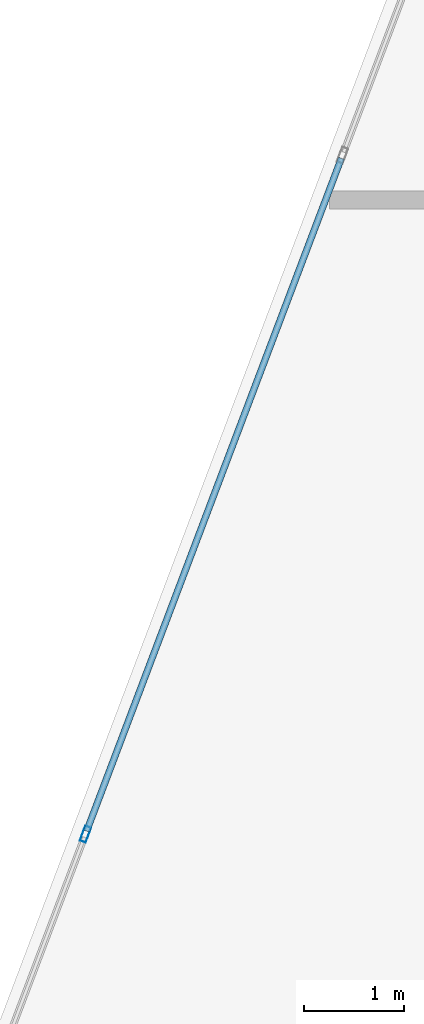
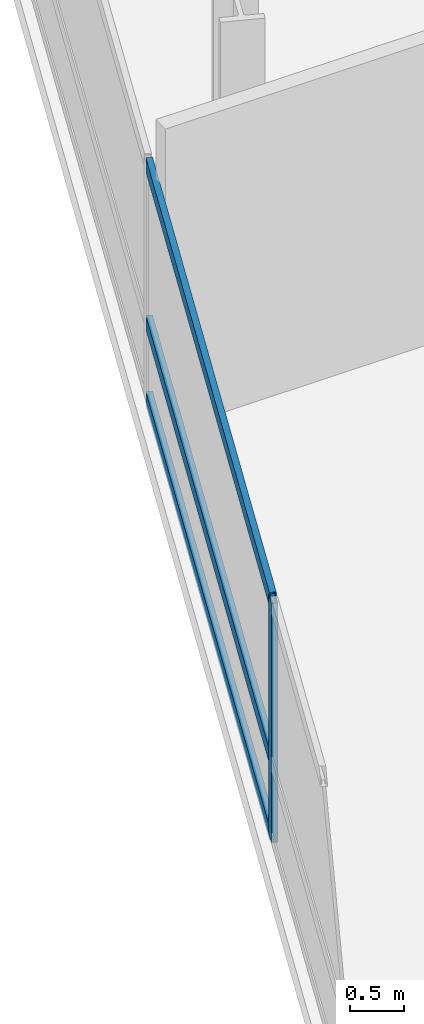
# One storey, part 6 of 25: 4 members, 1 element without a shape of its own.
"""IFC4 building model written with IfcOpenShell, lengths in metres."""

import ifcopenshell
import ifcopenshell.guid

model = None  # the IFC model being written
_history = None  # IfcOwnerHistory: only IFC2X3 demands one
_inside = {}  # id of a spatial element -> (the spatial element, [elements in it])
_under = {}  # id of a project, library or spatial element -> (it, [spatial elements below it])
_declared = {}  # id of a project -> (the project, [libraries it declares])
_typed = {}  # id of a type object -> (the type object, [elements of that type])
_made_of = {}  # id of a material, layer set ... -> (it, [elements and type objects made of it])


def new_model(schema):
    """Start an empty IFC model of exactly this schema.

    Asked for "IFC4X3", IfcOpenShell would pick the latest addendum, in which some entities
    have other attributes; the version numbers below select the first issue.
    IFC2X3 requires an IfcOwnerHistory on every rooted entity: one is made here for all.
    """
    global model, _history
    if schema == "IFC4X3":
        model = ifcopenshell.file(schema_version=(4, 3, 0, 0))
    else:
        model = ifcopenshell.file(schema=schema)
    _inside.clear()
    _under.clear()
    _declared.clear()
    _typed.clear()
    _made_of.clear()
    _history = None
    if model.schema == "IFC2X3":
        org = make("IfcOrganization", Name="unknown")
        user = make(
            "IfcPersonAndOrganization",
            ThePerson=make("IfcPerson", FamilyName="unknown"),
            TheOrganization=org,
        )
        app = make(
            "IfcApplication",
            ApplicationDeveloper=org,
            Version="unknown",
            ApplicationFullName="unknown",
            ApplicationIdentifier="unknown",
        )
        _history = make(
            "IfcOwnerHistory",
            OwningUser=user,
            OwningApplication=app,
            ChangeAction="ADDED",
            CreationDate=0,
        )
    return model


def make(cls, **values):
    """One entity of the class cls with the attributes given. An attribute that is None is left unset."""
    return model.create_entity(
        cls, **{name: value for name, value in values.items() if value is not None}
    )


def rooted(cls, **values):
    """An entity with a GlobalId (a new one), such as an element, a storey or a relation."""
    return make(cls, GlobalId=ifcopenshell.guid.new(), OwnerHistory=_history, **values)


def si_unit(unit_type, name, prefix=None):
    """IfcSIUnit, for example si_unit("LENGTHUNIT", "METRE", prefix="MILLI")."""
    return make("IfcSIUnit", UnitType=unit_type, Prefix=prefix, Name=name)


def assignment(units):
    """IfcUnitAssignment: the units of a project."""
    return None if units is None else make("IfcUnitAssignment", Units=units)


def point(xyz):
    """IfcCartesianPoint."""
    return None if xyz is None else make("IfcCartesianPoint", Coordinates=xyz)


def direction(xyz):
    """IfcDirection."""
    return None if xyz is None else make("IfcDirection", DirectionRatios=xyz)


def frame(location, z_axis=None, x_axis=None):
    """IfcAxis2Placement3D, a coordinate frame: its origin and axes. An axis left out is left unset."""
    return make(
        "IfcAxis2Placement3D",
        Location=point(location),
        Axis=direction(z_axis),
        RefDirection=direction(x_axis),
    )


def frame_2d(location, x_axis=None):
    """IfcAxis2Placement2D, a coordinate frame in the plane: its origin and x axis."""
    return make(
        "IfcAxis2Placement2D", Location=point(location), RefDirection=direction(x_axis)
    )


def origin():
    """The frame at (0, 0, 0) with its axes left unset."""
    return frame((0.0, 0.0, 0.0))


def origin_2d():
    """The frame at (0, 0) in the plane with its x axis left unset."""
    return frame_2d((0.0, 0.0))


def place(relative_to, where):
    """IfcLocalPlacement: puts the frame where relative to a parent placement (None: the world)."""
    return make(
        "IfcLocalPlacement", PlacementRelTo=relative_to, RelativePlacement=where
    )


def context(
    kind, dimensions, precision=None, world=None, true_north=None, identifier=None
):
    """IfcGeometricRepresentationContext, for example the 3D "Model" context."""
    return make(
        "IfcGeometricRepresentationContext",
        ContextIdentifier=identifier,
        ContextType=kind,
        CoordinateSpaceDimension=dimensions,
        Precision=precision,
        WorldCoordinateSystem=world,
        TrueNorth=true_north,
    )


def subcontext(parent, identifier, kind, view, scale=None):
    """IfcGeometricRepresentationSubContext, for example "Body" below "Model"."""
    return make(
        "IfcGeometricRepresentationSubContext",
        ContextIdentifier=identifier,
        ContextType=kind,
        ParentContext=parent,
        TargetScale=scale,
        TargetView=view,
    )


def project(units=None, contexts=None):
    """IfcProject with its units and contexts."""
    return rooted(
        "IfcProject",
        Name="project",
        RepresentationContexts=contexts,
        UnitsInContext=assignment(units),
    )


def spatial(cls, under=None, at=None, **own):
    """A site, building, storey or space (cls), placed at a placement, below another one or the project."""
    s = rooted(cls, ObjectPlacement=at, **own)
    if under is not None:
        _under.setdefault(under.id(), (under, []))[1].append(s)
    return s


def profile(cls, at=None, kind="AREA", **sizes):
    """A parametric profile (cls). Its sizes go by their IFC names, for example OverallWidth=200.0."""
    return make(cls, ProfileType=kind, Position=at, **sizes)


def hollow_rectangle(**sizes):
    """IfcRectangleHollowProfileDef."""
    return profile("IfcRectangleHollowProfileDef", **sizes)


def extrude(swept, where, along, depth):
    """IfcExtrudedAreaSolid: the profile swept, set in the frame where, extruded along a direction by depth."""
    return make(
        "IfcExtrudedAreaSolid",
        SweptArea=swept,
        Position=where,
        ExtrudedDirection=direction(along),
        Depth=depth,
    )


def shape(context_of_items, identifier, shape_type, items):
    """IfcShapeRepresentation: the items that make up one representation, for example the "Body"."""
    return make(
        "IfcShapeRepresentation",
        ContextOfItems=context_of_items,
        RepresentationIdentifier=identifier,
        RepresentationType=shape_type,
        Items=items,
    )


def material(Name=None, Category=None):
    """IfcMaterial."""
    return make("IfcMaterial", Name=Name, Category=Category)


def layer(
    of_material, thickness, ventilated=None, Name=None, Category=None, Priority=None
):
    """IfcMaterialLayer: one layer of a wall or slab, of a material (None: an air gap)."""
    return make(
        "IfcMaterialLayer",
        Material=of_material,
        LayerThickness=thickness,
        IsVentilated=ventilated,
        Name=Name,
        Category=Category,
        Priority=Priority,
    )


def layer_set(layers, Name=None):
    """IfcMaterialLayerSet."""
    return make("IfcMaterialLayerSet", MaterialLayers=layers, LayerSetName=Name)


def material_profile(
    of_material, cross_section, Name=None, Category=None, Priority=None
):
    """IfcMaterialProfile: a cross section and its material."""
    return make(
        "IfcMaterialProfile",
        Name=Name,
        Material=of_material,
        Profile=cross_section,
        Priority=Priority,
        Category=Category,
    )


def profile_set(profiles, Name=None, composite=None):
    """IfcMaterialProfileSet."""
    return make(
        "IfcMaterialProfileSet",
        Name=Name,
        MaterialProfiles=profiles,
        CompositeProfile=composite,
    )


def made_of(thing, what):
    """Note that an element or type object is made of a material, layer set ...; save() writes the relation."""
    if what is not None:
        _made_of.setdefault(what.id(), (what, []))[1].append(thing)
    return thing


def type_object(cls, material=None, **own):
    """A type object (cls), such as IfcWallType, which elements share."""
    return made_of(rooted(cls, **own), material)


def element(
    cls,
    number,
    at=None,
    inside=None,
    cuts=None,
    type_object=None,
    material=None,
    context=None,
    identifier="Body",
    shape_type=None,
    held_by="IfcProductDefinitionShape",
    body=None,
    shapes=None,
    **own,
):
    """One element of the class cls, such as IfcWall. Its Tag is "e" and its number.

    at: its placement. inside: the storey or other place that contains it. cuts: it is an
    opening in that element (IfcRelVoidsElement). A single representation is given by context,
    identifier, shape_type and body (its items); several are given by shapes. held_by: the class
    of the entity that holds the representations. save() writes the other relations.
    """
    e = rooted(cls, Tag="e%d" % number, ObjectPlacement=at, **own)
    if body is not None:
        shapes = [shape(context, identifier, shape_type, body)]
    if shapes is not None:
        e.Representation = make(held_by, Representations=shapes)
    if inside is not None:
        _inside.setdefault(inside.id(), (inside, []))[1].append(e)
    if cuts is not None:
        rooted(
            "IfcRelVoidsElement", RelatingBuildingElement=cuts, RelatedOpeningElement=e
        )
    if type_object is not None:
        _typed.setdefault(type_object.id(), (type_object, []))[1].append(e)
    return made_of(e, material)


def aggregate(whole, parts):
    """IfcRelAggregates: a whole, such as a stair, and the parts it consists of."""
    return rooted("IfcRelAggregates", RelatingObject=whole, RelatedObjects=parts)


def save(model, path):
    """Write the relations noted so far, then the file.

    IfcRelAggregates (storeys below a building ...), IfcRelContainedInSpatialStructure (elements
    in a storey), IfcRelDefinesByType, IfcRelAssociatesMaterial and IfcRelDeclares: one each for
    every whole, place, type object, material and project.
    """
    for whole, parts in _under.values():
        aggregate(whole, parts)
    for where, things in _inside.values():
        rooted(
            "IfcRelContainedInSpatialStructure",
            RelatedElements=things,
            RelatingStructure=where,
        )
    for kind, things in _typed.values():
        rooted("IfcRelDefinesByType", RelatedObjects=things, RelatingType=kind)
    for what, things in _made_of.values():
        rooted("IfcRelAssociatesMaterial", RelatedObjects=things, RelatingMaterial=what)
    for by, libraries in _declared.values():
        rooted("IfcRelDeclares", RelatingContext=by, RelatedDefinitions=libraries)
    model.write(path)


model = new_model("IFC4")

# Units and contexts
model_context = context("Model", 3, precision=1e-05, world=origin(), true_north=direction((0.0, 1.0)))
body_context = subcontext(model_context, "Body", "Model", "MODEL_VIEW")
ifc_project = project(units=[si_unit("LENGTHUNIT", "METRE"), si_unit("AREAUNIT", "SQUARE_METRE"), si_unit("VOLUMEUNIT", "CUBIC_METRE"), si_unit("PLANEANGLEUNIT", "RADIAN"), si_unit("MASSUNIT", "GRAM", prefix="KILO")], contexts=[model_context])

# Site, building, storey
site_placement = place(None, origin())
site = spatial("IfcSite", under=ifc_project, at=site_placement, CompositionType="ELEMENT")
building_placement = place(site_placement, origin())
building = spatial("IfcBuilding", under=site, at=building_placement, Name="Varnelok Gate Tower", CompositionType="ELEMENT")
storey_placement = place(building_placement, frame((0.0, 0.0, 76.199951171875)))
storey = spatial("IfcBuildingStorey", under=building, at=storey_placement, Name="L18", CompositionType="ELEMENT", Elevation=76.199951171875)

# Curtain wall, members
ifc_material = material(Name="Anodized Aluminum Alloy 6063-T6", Category="aluminium")
ifc_layer = layer(ifc_material, 0.179931640625)
ifc_layer_set = layer_set([ifc_layer], Name="Anodized Aluminum Alloy 6063-T6")
curtain_wall_type = type_object("IfcCurtainWallType", Name="CW3-HOTEL-VISION", PredefinedType="USERDEFINED", material=ifc_layer_set)
curtain_wall_placement = place(storey_placement, origin())
curtain_wall = element("IfcCurtainWall", 1, at=curtain_wall_placement, inside=storey, type_object=curtain_wall_type, Name="L18 West End Vision Curtain Wall", ObjectType="UNITISED CURTAIN WALL", PredefinedType="USERDEFINED")
ifc_material_profile_1 = material_profile(ifc_material, hollow_rectangle(XDim=0.06494140625, YDim=0.159912109375, WallThickness=0.00390625, at=origin_2d()), Name="ALU160X65X4")
ifc_profile_set_1 = profile_set([ifc_material_profile_1], Name="Anodized Aluminum Alloy 6063-T6")
member_type_1 = type_object("IfcMemberType", Name="CW-MULL-160", PredefinedType="MULLION", material=ifc_profile_set_1)
member_1_placement = place(storey_placement, frame((3.072021484375, 35.10693359375, 0.0), z_axis=(0.0, 0.0, 1.0), x_axis=(-0.935221323688, 0.354063660545, 0.0)))
member_1 = element("IfcMember", 2, at=member_1_placement, type_object=member_type_1, Name="CW3 mullion 3", PredefinedType="MULLION", context=body_context, shape_type="SweptSolid", body=[
    extrude(hollow_rectangle(XDim=0.06494140625, YDim=0.159912109375, WallThickness=0.00390625, at=origin_2d()), origin(), (0.0, 0.0, 1.0), 2.72998046875),
])
ifc_material_profile_2 = material_profile(ifc_material, hollow_rectangle(XDim=0.06494140625, YDim=0.159912109375, WallThickness=0.00390625, at=origin_2d()), Name="ALU160X65X4")
ifc_profile_set_2 = profile_set([ifc_material_profile_2], Name="Anodized Aluminum Alloy 6063-T6")
member_type_2 = type_object("IfcMemberType", Name="CW-TRAN-160", PredefinedType="USERDEFINED", material=ifc_profile_set_2)
member_2_placement = place(storey_placement, frame((3.08349609375, 35.13720703125, 0.032470703125), z_axis=(0.354048963644, 0.935226887628, 0.0), x_axis=(-0.935226887628, 0.354048963644, 0.0)))
member_2 = element("IfcMember", 3, at=member_2_placement, type_object=member_type_2, Name="CW3 transom 3.1", ObjectType="TRANSOM", PredefinedType="USERDEFINED", context=body_context, shape_type="SweptSolid", body=[
    extrude(hollow_rectangle(XDim=0.06494140625, YDim=0.159912109375, WallThickness=0.00390625, at=origin_2d()), origin(), (0.0, 0.0, 1.0), 7.175048828125),
])
member_3_placement = place(storey_placement, frame((3.08349609375, 35.13720703125, 0.900146484375), z_axis=(0.354048963644, 0.935226887628, 0.0), x_axis=(-0.935226887628, 0.354048963644, 0.0)))
member_3 = element("IfcMember", 4, at=member_3_placement, type_object=member_type_2, Name="CW3 transom 3.2", ObjectType="TRANSOM", PredefinedType="USERDEFINED", context=body_context, shape_type="SweptSolid", body=[
    extrude(hollow_rectangle(XDim=0.06494140625, YDim=0.159912109375, WallThickness=0.00390625, at=origin_2d()), origin(), (0.0, 0.0, 1.0), 7.175048828125),
])
member_4_placement = place(storey_placement, frame((3.08349609375, 35.13720703125, 2.697509765625), z_axis=(0.354048963644, 0.935226887628, 0.0), x_axis=(-0.935226887628, 0.354048963644, 0.0)))
member_4 = element("IfcMember", 5, at=member_4_placement, type_object=member_type_2, Name="CW3 transom 3.3", ObjectType="TRANSOM", PredefinedType="USERDEFINED", context=body_context, shape_type="SweptSolid", body=[
    extrude(hollow_rectangle(XDim=0.06494140625, YDim=0.159912109375, WallThickness=0.00390625, at=origin_2d()), origin(), (0.0, 0.0, 1.0), 7.175048828125),
])
aggregate(curtain_wall, [member_1, member_2, member_3, member_4])

save(model, "model.ifc")
